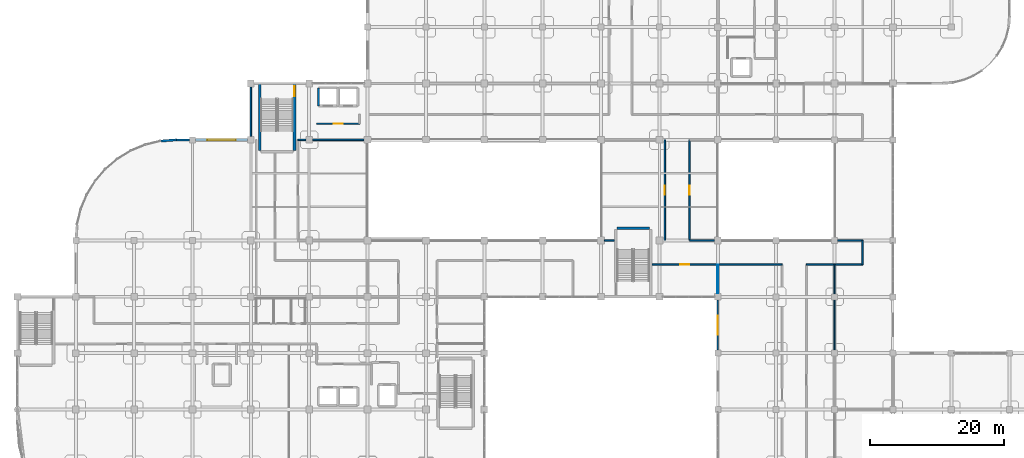
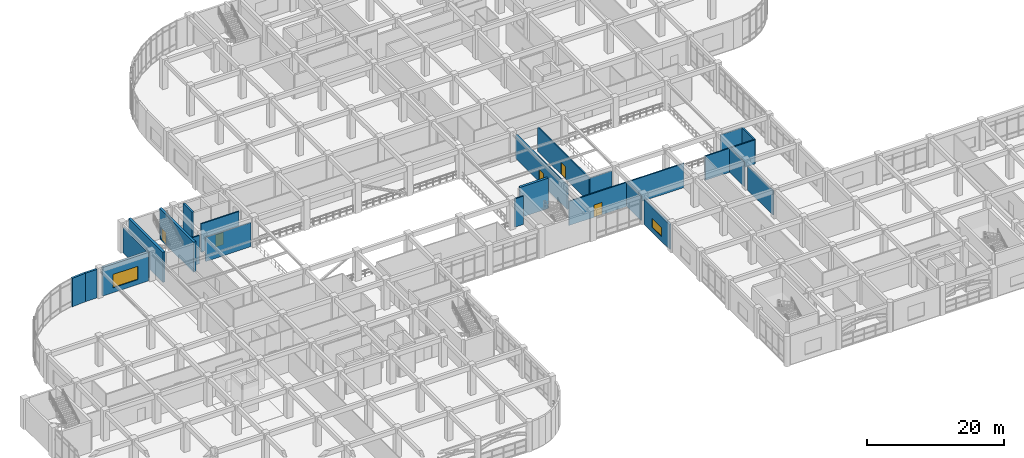
# One storey, part 95 of 114: 25 walls, 5 doors, 2 windows, 7 openings.
"""IFC4 building model written with IfcOpenShell, lengths in metres."""

from ifc_helpers import new_model, si_unit, derived_unit, direction, frame, frame_2d, origin, place, context, subcontext, project, spatial, rectangle, extrude, material, layer, layer_set, type_object, element, fill, save


model = new_model("IFC4")

# Units and contexts
model_context = context("Model", 3, precision=1e-05, world=origin(), true_north=direction((0.0, 1.0)))
body_context = subcontext(model_context, "Body", "Model", "MODEL_VIEW")
ifc_project = project(units=[si_unit("LENGTHUNIT", "METRE"), si_unit("AREAUNIT", "SQUARE_METRE"), si_unit("VOLUMEUNIT", "CUBIC_METRE"), si_unit("PLANEANGLEUNIT", "RADIAN"), si_unit("MASSUNIT", "GRAM", prefix="KILO"), derived_unit("THERMALTRANSMITTANCEUNIT", [(si_unit("MASSUNIT", "GRAM", prefix="KILO"), 1), (si_unit("TIMEUNIT", "SECOND"), -3), (si_unit("THERMODYNAMICTEMPERATUREUNIT", "KELVIN"), -1)])], contexts=[model_context])

# Site, building, storey
site_placement = place(None, origin())
site = spatial("IfcSite", under=ifc_project, at=site_placement, CompositionType="ELEMENT")
building_placement = place(site_placement, origin())
building = spatial("IfcBuilding", under=site, at=building_placement, Name="Qinzheling Arcade Emporium", CompositionType="ELEMENT")
storey_placement = place(building_placement, frame((0.0, 0.0, 6.0)))
storey = spatial("IfcBuildingStorey", under=building, at=storey_placement, Name="L02", CompositionType="ELEMENT", Elevation=6.0)

# Wall, opening, door
ifc_material_1 = material(Name="Double-stud acoustic gypsum board partition")
ifc_layer_1 = layer(ifc_material_1, 0.215087890625, Name="Double-stud acoustic gypsum board partition")
ifc_layer_set_1 = layer_set([ifc_layer_1], Name="Double-stud acoustic gypsum board partition")
wall_type_1 = type_object("IfcWallType", Name="Acoustic Corridor Partition Wall 215", PredefinedType="PARTITIONING", material=ifc_layer_set_1)
wall_1_placement = place(storey_placement, frame((51.0, 67.800048828125, 0.0), z_axis=(0.0, 0.0, 1.0), x_axis=(-1.0, 0.0, 0.0)))
wall_1 = element("IfcWall", 1, at=wall_1_placement, inside=storey, type_object=wall_type_1, Name="Interior Wall WL-L02-INT-0285", PredefinedType="PARTITIONING", context=body_context, shape_type="SweptSolid", body=[
    extrude(rectangle(XDim=6.39990234375, YDim=0.215087890625, at=frame_2d((3.199951171875, 0.0))), origin(), (0.0, 0.0, 1.0), 5.06005859375),
])
opening_1_placement = place(wall_1_placement, frame((2.52490234375, 0.0, 0.0)))
opening_1 = element("IfcOpeningElement", 2, at=opening_1_placement, cuts=wall_1, Name="Opening FD05", PredefinedType="OPENING", context=body_context, shape_type="SweptSolid", body=[
    extrude(rectangle(XDim=1.35009765625, YDim=2.199951171875, at=frame_2d((0.675048828125, 1.10009765625))), frame((0.0, 0.11767578125, 0.0), z_axis=(0.0, -1.0, 0.0), x_axis=(1.0, 0.0, 0.0)), (0.0, 0.0, 1.0), 0.235107421875),
])
ifc_material_2 = material(Name="Class B fire-rated stainless-clad door")
door_type_1 = type_object("IfcDoorType", Name="Kitchen Fire-Rated Service Door 1350x2200", OperationType="NOTDEFINED", PredefinedType="DOOR", material=ifc_material_2)
door_1_placement = place(opening_1_placement, origin())
door_1 = element("IfcDoor", 3, at=door_1_placement, inside=storey, type_object=door_type_1, Name="FD05 Interior Door DR-L02-INT-0080", OperationType="SINGLE_SWING_LEFT", OverallHeight=2.199951171875, OverallWidth=1.35009765625, PredefinedType="DOOR", context=body_context, shape_type="SweptSolid", body=[
    extrude(rectangle(XDim=1.35009765625, YDim=2.199951171875, at=frame_2d((0.675048828125, 1.10009765625))), frame((0.0, 0.02490234375, 0.0), z_axis=(0.0, -1.0, 0.0), x_axis=(1.0, 0.0, 0.0)), (0.0, 0.0, 1.0), 0.050048828125),
])
fill(opening_1, door_1)

# Walls
wall_2_placement = place(storey_placement, frame((51.68994140625, 65.39990234375, 0.0), z_axis=(0.0, 0.0, 1.0), x_axis=(-1.0, 0.0, 0.0)))
element("IfcWall", 4, at=wall_2_placement, inside=storey, type_object=wall_type_1, Name="Interior Wall WL-L02-INT-0322", PredefinedType="PARTITIONING", context=body_context, shape_type="SweptSolid", body=[
    extrude(rectangle(XDim=7.679931640625, YDim=0.215087890625, at=frame_2d((3.83984375, 0.0))), origin(), (0.0, 0.0, 1.0), 4.31005859375),
])
wall_3_placement = place(storey_placement, frame((42.989990234375, 65.39990234375, 0.0), z_axis=(0.0, 0.0, 1.0), x_axis=(-1.0, 0.0, 0.0)))
element("IfcWall", 5, at=wall_3_placement, inside=storey, type_object=wall_type_1, Name="Interior Wall WL-L02-INT-0323", PredefinedType="PARTITIONING", context=body_context, shape_type="SweptSolid", body=[
    extrude(rectangle(XDim=1.18994140625, YDim=0.215087890625, at=frame_2d((0.594970703125, 0.0))), origin(), (0.0, 0.0, 1.0), 5.06005859375),
])

# Wall, opening, door
wall_4_placement = place(storey_placement, frame((104.39990234375, 46.800048828125, 0.0), z_axis=(0.0, 0.0, 1.0), x_axis=(-1.0, 0.0, 0.0)))
wall_4 = element("IfcWall", 6, at=wall_4_placement, inside=storey, type_object=wall_type_1, Name="Interior Wall WL-L02-INT-0327", PredefinedType="PARTITIONING", context=body_context, shape_type="SweptSolid", body=[
    extrude(rectangle(XDim=9.804931640625, YDim=0.215087890625, at=frame_2d((4.90234375, 0.0))), origin(), (0.0, 0.0, 1.0), 4.31005859375),
])
opening_2_placement = place(wall_4_placement, frame((4.22802734375, 0.0, 0.0)))
opening_2 = element("IfcOpeningElement", 7, at=opening_2_placement, cuts=wall_4, Name="Opening FD05", PredefinedType="OPENING", context=body_context, shape_type="SweptSolid", body=[
    extrude(rectangle(XDim=1.35009765625, YDim=2.199951171875, at=frame_2d((0.675048828125, 1.10009765625))), frame((0.0, 0.11767578125, 0.0), z_axis=(0.0, -1.0, 0.0), x_axis=(1.0, 0.0, 0.0)), (0.0, 0.0, 1.0), 0.235107421875),
])
door_2_placement = place(opening_2_placement, origin())
door_2 = element("IfcDoor", 8, at=door_2_placement, inside=storey, type_object=door_type_1, Name="FD05 Interior Door DR-L02-INT-0096", OperationType="SINGLE_SWING_LEFT", OverallHeight=2.199951171875, OverallWidth=1.35009765625, PredefinedType="DOOR", context=body_context, shape_type="SweptSolid", body=[
    extrude(rectangle(XDim=1.35009765625, YDim=2.199951171875, at=frame_2d((0.675048828125, 1.10009765625))), frame((0.0, 0.02490234375, 0.0), z_axis=(0.0, -1.0, 0.0), x_axis=(1.0, 0.0, 0.0)), (0.0, 0.0, 1.0), 0.050048828125),
])
fill(opening_2, door_2)

wall_5_placement = place(storey_placement, frame((100.199951171875, 65.39990234375, 0.0), z_axis=(0.0, 0.0, 1.0), x_axis=(0.0, -1.0, 0.0)))
wall_5 = element("IfcWall", 9, at=wall_5_placement, inside=storey, type_object=wall_type_1, Name="Interior Wall WL-L02-INT-0338", PredefinedType="PARTITIONING", context=body_context, shape_type="SweptSolid", body=[
    extrude(rectangle(XDim=15.0, YDim=0.215087890625, at=frame_2d((7.5, 0.0))), origin(), (0.0, 0.0, 1.0), 4.31005859375),
])
opening_3_placement = place(wall_5_placement, frame((6.824951171875, 0.0, 0.0)))
opening_3 = element("IfcOpeningElement", 10, at=opening_3_placement, cuts=wall_5, Name="Opening FD05", PredefinedType="OPENING", context=body_context, shape_type="SweptSolid", body=[
    extrude(rectangle(XDim=1.35009765625, YDim=2.199951171875, at=frame_2d((0.675048828125, 1.10009765625))), frame((0.0, 0.11767578125, 0.0), z_axis=(0.0, -1.0, 0.0), x_axis=(1.0, 0.0, 0.0)), (0.0, 0.0, 1.0), 0.235107421875),
])
door_3_placement = place(opening_3_placement, origin())
door_3 = element("IfcDoor", 11, at=door_3_placement, inside=storey, type_object=door_type_1, Name="FD05 Interior Door DR-L02-INT-0101", OperationType="SINGLE_SWING_RIGHT", OverallHeight=2.199951171875, OverallWidth=1.35009765625, PredefinedType="DOOR", context=body_context, shape_type="SweptSolid", body=[
    extrude(rectangle(XDim=1.35009765625, YDim=2.199951171875, at=frame_2d((0.675048828125, 1.10009765625))), frame((0.0, 0.02490234375, 0.0), z_axis=(0.0, -1.0, 0.0), x_axis=(1.0, 0.0, 0.0)), (0.0, 0.0, 1.0), 0.050048828125),
])
fill(opening_3, door_3)

# Walls
wall_6_placement = place(storey_placement, frame((100.199951171875, 50.39990234375, 0.0), z_axis=(0.0, 0.0, 1.0), x_axis=(1.0, 0.0, 0.0)))
element("IfcWall", 12, at=wall_6_placement, inside=storey, type_object=wall_type_1, Name="Interior Wall WL-L02-INT-0339", PredefinedType="PARTITIONING", context=body_context, shape_type="SweptSolid", body=[
    extrude(rectangle(XDim=3.68994140625, YDim=0.215087890625, at=frame_2d((1.844970703125, 0.0))), origin(), (0.0, 0.0, 1.0), 4.31005859375),
])
wall_7_placement = place(storey_placement, frame((87.510009765625, 50.39990234375, 0.0), z_axis=(0.0, 0.0, 1.0), x_axis=(1.0, 0.0, 0.0)))
element("IfcWall", 13, at=wall_7_placement, inside=storey, type_object=wall_type_1, Name="Interior Wall WL-L02-INT-0340", PredefinedType="PARTITIONING", context=body_context, shape_type="SweptSolid", body=[
    extrude(rectangle(XDim=1.485107421875, YDim=0.215087890625, at=frame_2d((0.74267578125, 0.0))), origin(), (0.0, 0.0, 1.0), 5.06005859375),
])

# Wall, opening, door
wall_8_placement = place(storey_placement, frame((96.5, 50.39990234375, 0.0), z_axis=(0.0, 0.0, 1.0), x_axis=(0.0, 1.0, 0.0)))
wall_8 = element("IfcWall", 14, at=wall_8_placement, inside=storey, type_object=wall_type_1, Name="Interior Wall WL-L02-INT-0341", PredefinedType="PARTITIONING", context=body_context, shape_type="SweptSolid", body=[
    extrude(rectangle(XDim=15.0, YDim=0.215087890625, at=frame_2d((7.5, 0.0))), origin(), (0.0, 0.0, 1.0), 4.31005859375),
])
opening_4_placement = place(wall_8_placement, frame((6.824951171875, 0.0, 0.0)))
opening_4 = element("IfcOpeningElement", 15, at=opening_4_placement, cuts=wall_8, Name="Opening FD05", PredefinedType="OPENING", context=body_context, shape_type="SweptSolid", body=[
    extrude(rectangle(XDim=1.35009765625, YDim=2.199951171875, at=frame_2d((0.675048828125, 1.10009765625))), frame((0.0, 0.11767578125, 0.0), z_axis=(0.0, -1.0, 0.0), x_axis=(1.0, 0.0, 0.0)), (0.0, 0.0, 1.0), 0.235107421875),
])
door_4_placement = place(opening_4_placement, origin())
door_4 = element("IfcDoor", 16, at=door_4_placement, inside=storey, type_object=door_type_1, Name="FD05 Interior Door DR-L02-INT-0102", OperationType="SINGLE_SWING_LEFT", OverallHeight=2.199951171875, OverallWidth=1.35009765625, PredefinedType="DOOR", context=body_context, shape_type="SweptSolid", body=[
    extrude(rectangle(XDim=1.35009765625, YDim=2.199951171875, at=frame_2d((0.675048828125, 1.10009765625))), frame((0.0, 0.02490234375, 0.0), z_axis=(0.0, -1.0, 0.0), x_axis=(1.0, 0.0, 0.0)), (0.0, 0.0, 1.0), 0.050048828125),
])
fill(opening_4, door_4)

# Walls
wall_9_placement = place(storey_placement, frame((114.0, 46.800048828125, 0.0), z_axis=(0.0, 0.0, 1.0), x_axis=(-1.0, 0.0, 0.0)))
element("IfcWall", 17, at=wall_9_placement, inside=storey, type_object=wall_type_1, Name="Interior Wall WL-L02-INT-0345", PredefinedType="PARTITIONING", context=body_context, shape_type="SweptSolid", body=[
    extrude(rectangle(XDim=9.60009765625, YDim=0.215087890625, at=frame_2d((4.800048828125, 0.0))), origin(), (0.0, 0.0, 1.0), 4.31005859375),
])
wall_10_placement = place(storey_placement, frame((121.800048828125, 46.800048828125, 0.0), z_axis=(0.0, 0.0, 1.0), x_axis=(-1.0, 0.0, 0.0)))
element("IfcWall", 18, at=wall_10_placement, inside=storey, type_object=wall_type_1, Name="Interior Wall WL-L02-INT-0349", PredefinedType="PARTITIONING", context=body_context, shape_type="SweptSolid", body=[
    extrude(rectangle(XDim=4.199951171875, YDim=0.215087890625, at=frame_2d((2.10009765625, 0.0))), origin(), (0.0, 0.0, 1.0), 4.31005859375),
])
wall_11_placement = place(storey_placement, frame((122.260009765625, 50.39990234375, 0.0), z_axis=(0.0, 0.0, 1.0), x_axis=(1.0, 0.0, 0.0)))
element("IfcWall", 19, at=wall_11_placement, inside=storey, type_object=wall_type_1, Name="Interior Wall WL-L02-INT-0355", PredefinedType="PARTITIONING", context=body_context, shape_type="SweptSolid", body=[
    extrude(rectangle(XDim=3.739990234375, YDim=0.215087890625, at=frame_2d((1.8701171875, 0.0))), origin(), (0.0, 0.0, 1.0), 4.31005859375),
])
wall_12_placement = place(storey_placement, frame((126.0, 50.39990234375, 0.0), z_axis=(0.0, 0.0, 1.0), x_axis=(0.0, -1.0, 0.0)))
element("IfcWall", 20, at=wall_12_placement, inside=storey, type_object=wall_type_1, Name="Interior Wall WL-L02-INT-0356", PredefinedType="PARTITIONING", context=body_context, shape_type="SweptSolid", body=[
    extrude(rectangle(XDim=3.599853515625, YDim=0.215087890625, at=frame_2d((1.7998046875, 0.0))), origin(), (0.0, 0.0, 1.0), 4.31005859375),
])
wall_13_placement = place(storey_placement, frame((126.0, 46.800048828125, 0.0), z_axis=(0.0, 0.0, 1.0), x_axis=(-1.0, 0.0, 0.0)))
element("IfcWall", 21, at=wall_13_placement, inside=storey, type_object=wall_type_1, Name="Interior Wall WL-L02-INT-0357", PredefinedType="PARTITIONING", context=body_context, shape_type="SweptSolid", body=[
    extrude(rectangle(XDim=4.199951171875, YDim=0.215087890625, at=frame_2d((2.10009765625, 0.0))), origin(), (0.0, 0.0, 1.0), 4.31005859375),
])

# Wall, opening, window
ifc_material_3 = material(Name="Insulated aluminium-clad spandrel wall", Category="aluminium")
ifc_layer_2 = layer(ifc_material_3, 0.260009765625, Name="Insulated aluminium-clad spandrel wall", Category="aluminium")
ifc_layer_set_2 = layer_set([ifc_layer_2], Name="Insulated aluminium-clad spandrel wall")
wall_type_2 = type_object("IfcWallType", Name="Arcade Clerestory Spandrel Wall 260", PredefinedType="STANDARD", material=ifc_layer_set_2)
wall_14_placement = place(storey_placement, frame((104.39990234375, 34.052001953125, 0.0), z_axis=(0.0, 0.0, 1.0), x_axis=(0.0, 1.0, 0.0)))
wall_14 = element("IfcWall", 22, at=wall_14_placement, inside=storey, type_object=wall_type_2, Name="Exterior Wall WL-L02-EW-0098", PredefinedType="STANDARD", context=body_context, shape_type="SweptSolid", body=[
    extrude(rectangle(XDim=7.446044921875, YDim=0.260009765625, at=frame_2d((3.72314453125, 0.0))), origin(), (0.0, 0.0, 1.0), 4.455078125),
])
opening_5_placement = place(wall_14_placement, frame((2.322998046875, 0.0, 0.85009765625)))
opening_5 = element("IfcOpeningElement", 23, at=opening_5_placement, cuts=wall_14, Name="Opening WN48", PredefinedType="OPENING", context=body_context, shape_type="SweptSolid", body=[
    extrude(rectangle(XDim=2.800048828125, YDim=1.64990234375, at=frame_2d((1.39990234375, 0.824951171875))), frame((0.0, 0.14013671875, 0.0), z_axis=(0.0, -1.0, 0.0), x_axis=(1.0, 0.0, 0.0)), (0.0, 0.0, 1.0), 0.280029296875),
])
ifc_material_4 = material(Name="Thermally broken aluminium frame with solar-control double glazing", Category="aluminium")
window_type_1 = type_object("IfcWindowType", Name="Chicago Tripartite Window 2800x1650", PartitioningType="TRIPLE_PANEL_VERTICAL", PredefinedType="WINDOW", material=ifc_material_4)
window_1_placement = place(opening_5_placement, origin())
window_1 = element("IfcWindow", 24, at=window_1_placement, inside=storey, type_object=window_type_1, Name="WN48 Window WN-L02-0024", OverallHeight=1.64990234375, OverallWidth=2.800048828125, PartitioningType="TRIPLE_PANEL_VERTICAL", PredefinedType="WINDOW", context=body_context, shape_type="SweptSolid", body=[
    extrude(rectangle(XDim=2.800048828125, YDim=1.64990234375, at=frame_2d((1.39990234375, 0.824951171875))), frame((0.0, 0.030029296875, 0.0), z_axis=(0.0, -1.0, 0.0), x_axis=(1.0, 0.0, 0.0)), (0.0, 0.0, 1.0), 0.06005859375),
])
fill(opening_5, window_1)

# Walls
wall_15_placement = place(storey_placement, frame((34.800048828125, 65.902099609375, 0.0), z_axis=(0.0, 0.0, 1.0), x_axis=(0.0, 1.0, 0.0)))
element("IfcWall", 25, at=wall_15_placement, inside=storey, type_object=wall_type_2, Name="Exterior Wall WL-L02-EW-0118", PredefinedType="STANDARD", context=body_context, shape_type="SweptSolid", body=[
    extrude(rectangle(XDim=7.39599609375, YDim=0.260009765625, at=frame_2d((3.697998046875, 0.0))), origin(), (0.0, 0.0, 1.0), 4.455078125),
])
ifc_material_5 = material(Name="Celadon glazed terracotta insulated spandrel", Category="masonry")
ifc_layer_3 = layer(ifc_material_5, 0.340087890625, Name="Celadon glazed terracotta insulated spandrel", Category="masonry")
ifc_layer_set_3 = layer_set([ifc_layer_3], Name="Celadon glazed terracotta insulated spandrel")
wall_type_3 = type_object("IfcWallType", Name="Celadon Spandrel Infill Wall 340", PredefinedType="STANDARD", material=ifc_layer_set_3)
wall_16_placement = place(storey_placement, frame((21.35302734375, 65.215087890625, 0.0), z_axis=(0.0, 0.0, 1.0), x_axis=(0.996913759647, 0.078504495584, 0.0)))
element("IfcWall", 26, at=wall_16_placement, inside=storey, type_object=wall_type_3, Name="Exterior Wall WL-L02-EW-0115", PredefinedType="STANDARD", context=body_context, shape_type="SweptSolid", body=[
    extrude(rectangle(XDim=2.354248046875, YDim=0.340087890625, at=frame_2d((1.17724609375, 0.0))), origin(), (0.0, 0.0, 1.0), 5.090087890625),
])
ifc_material_6 = material(Name="Glazed cream terracotta insulated wall", Category="masonry")
ifc_layer_4 = layer(ifc_material_6, 0.320068359375, Name="Glazed cream terracotta insulated wall", Category="masonry")
ifc_layer_set_4 = layer_set([ifc_layer_4], Name="Glazed cream terracotta insulated wall")
wall_type_4 = type_object("IfcWallType", Name="Chicago Frame Infill Wall 320", PredefinedType="STANDARD", material=ifc_layer_set_4)
wall_17_placement = place(storey_placement, frame((23.699951171875, 65.39990234375, 0.0), z_axis=(0.0, 0.0, 1.0), x_axis=(1.0, 0.0, 0.0)))
element("IfcWall", 27, at=wall_17_placement, inside=storey, type_object=wall_type_4, Name="Exterior Wall WL-L02-EW-0116", PredefinedType="STANDARD", context=body_context, shape_type="SweptSolid", body=[
    extrude(rectangle(XDim=1.947998046875, YDim=0.320068359375, at=frame_2d((0.97412109375, 0.0))), origin(), (0.0, 0.0, 1.0), 5.090087890625),
])

# Wall, opening, window
ifc_material_7 = material(Name="Glazed cream terracotta on Concrete C40", Category="masonry")
ifc_layer_5 = layer(ifc_material_7, 0.360107421875, Name="Glazed cream terracotta on Concrete C40", Category="masonry")
ifc_layer_set_5 = layer_set([ifc_layer_5], Name="Glazed cream terracotta on Concrete C40")
wall_type_5 = type_object("IfcWallType", Name="Glazed Terracotta Pier Wall 360", PredefinedType="STANDARD", material=ifc_layer_set_5)
wall_18_placement = place(storey_placement, frame((26.552001953125, 65.39990234375, 0.0), z_axis=(0.0, 0.0, 1.0), x_axis=(1.0, 0.0, 0.0)))
wall_18 = element("IfcWall", 28, at=wall_18_placement, inside=storey, type_object=wall_type_5, Name="Exterior Wall WL-L02-EW-0117", PredefinedType="STANDARD", context=body_context, shape_type="SweptSolid", body=[
    extrude(rectangle(XDim=7.74609375, YDim=0.360107421875, at=frame_2d((3.873046875, 0.0))), origin(), (0.0, 0.0, 1.0), 5.090087890625),
])
opening_6_placement = place(wall_18_placement, frame((1.77294921875, 0.0, 0.85009765625)))
opening_6 = element("IfcOpeningElement", 29, at=opening_6_placement, cuts=wall_18, Name="Opening WN11", PredefinedType="OPENING", context=body_context, shape_type="SweptSolid", body=[
    extrude(rectangle(XDim=4.199951171875, YDim=2.39990234375, at=frame_2d((2.10009765625, 1.199951171875))), frame((0.0, 0.18994140625, 0.0), z_axis=(0.0, -1.0, 0.0), x_axis=(1.0, 0.0, 0.0)), (0.0, 0.0, 1.0), 0.380126953125),
])
window_type_2 = type_object("IfcWindowType", Name="Chicago Tripartite Window 4200x2400", PartitioningType="TRIPLE_PANEL_VERTICAL", PredefinedType="WINDOW", material=ifc_material_4)
window_2_placement = place(opening_6_placement, origin())
window_2 = element("IfcWindow", 30, at=window_2_placement, inside=storey, type_object=window_type_2, Name="WN11 Window WN-L02-0026", OverallHeight=2.39990234375, OverallWidth=4.199951171875, PartitioningType="TRIPLE_PANEL_VERTICAL", PredefinedType="WINDOW", context=body_context, shape_type="SweptSolid", body=[
    extrude(rectangle(XDim=4.199951171875, YDim=2.39990234375, at=frame_2d((2.10009765625, 1.199951171875))), frame((0.0, 0.030029296875, 0.0), z_axis=(0.0, -1.0, 0.0), x_axis=(1.0, 0.0, 0.0)), (0.0, 0.0, 1.0), 0.06005859375),
])
fill(opening_6, window_2)

# Walls
ifc_material_8 = material(Name="Concrete C40", Category="concrete")
ifc_layer_6 = layer(ifc_material_8, 0.35009765625, Name="Concrete C40", Category="concrete")
ifc_layer_set_6 = layer_set([ifc_layer_6], Name="Concrete C40")
wall_type_6 = type_object("IfcWallType", Name="RC Lift Shaft Shear Wall 350 C40", PredefinedType="SHEAR", material=ifc_layer_set_6)
wall_19_placement = place(storey_placement, frame((44.875, 70.47509765625, 0.0), z_axis=(0.0, 0.0, 1.0), x_axis=(0.0, 1.0, 0.0)))
element("IfcWall", 31, at=wall_19_placement, inside=storey, type_object=wall_type_6, Name="Lift Shaft Wall WL-L02-LFT-LP03-W", PredefinedType="SHEAR", context=body_context, shape_type="SweptSolid", body=[
    extrude(rectangle(XDim=2.64990234375, YDim=0.35009765625, at=frame_2d((1.324951171875, 0.0))), origin(), (0.0, 0.0, 1.0), 5.39990234375),
])
ifc_material_9 = material(Name="Concrete C50", Category="concrete")
ifc_layer_7 = layer(ifc_material_9, 0.39990234375, Name="Concrete C50", Category="concrete")
ifc_layer_set_7 = layer_set([ifc_layer_7], Name="Concrete C50")
wall_type_7 = type_object("IfcWallType", Name="RC Stair Core Shear Wall 400 C50", PredefinedType="SHEAR", material=ifc_layer_set_7)
wall_20_placement = place(storey_placement, frame((36.10009765625, 63.800048828125, 0.0), z_axis=(0.0, 0.0, 1.0), x_axis=(0.0, 1.0, 0.0)))
element("IfcWall", 32, at=wall_20_placement, inside=storey, type_object=wall_type_7, Name="Stair Core Wall WL-L02-ST03-WEST", PredefinedType="SHEAR", context=body_context, shape_type="SweptSolid", body=[
    extrude(rectangle(XDim=10.0, YDim=0.39990234375, at=frame_2d((5.0, 0.0))), origin(), (0.0, 0.0, 1.0), 5.39990234375),
])

# Wall, opening, door
wall_21_placement = place(storey_placement, frame((41.2900390625, 73.800048828125, 0.0), z_axis=(0.0, 0.0, 1.0), x_axis=(0.0, -1.0, 0.0)))
wall_21 = element("IfcWall", 33, at=wall_21_placement, inside=storey, type_object=wall_type_7, Name="Stair Core Wall WL-L02-ST03-EAST", PredefinedType="SHEAR", context=body_context, shape_type="SweptSolid", body=[
    extrude(rectangle(XDim=10.0, YDim=0.39990234375, at=frame_2d((5.0, 0.0))), origin(), (0.0, 0.0, 1.0), 5.39990234375),
])
opening_7_placement = place(wall_21_placement, frame((0.409912109375, 0.0, 0.0)))
opening_7 = element("IfcOpeningElement", 34, at=opening_7_placement, cuts=wall_21, Name="Opening FD01", PredefinedType="OPENING", context=body_context, shape_type="SweptSolid", body=[
    extrude(rectangle(XDim=1.5, YDim=2.199951171875, at=frame_2d((0.75, 1.10009765625))), frame((0.0, 0.2099609375, 0.0), z_axis=(0.0, -1.0, 0.0), x_axis=(1.0, 0.0, 0.0)), (0.0, 0.0, 1.0), 0.419921875),
])
ifc_material_10 = material(Name="Class A fire-rated steel double door", Category="steel")
door_type_2 = type_object("IfcDoorType", Name="Stairwell Smoke-Proof Fire Door 1500x2200", OperationType="DOUBLE_DOOR_SINGLE_SWING", PredefinedType="DOOR", material=ifc_material_10)
door_5_placement = place(opening_7_placement, origin())
door_5 = element("IfcDoor", 35, at=door_5_placement, inside=storey, type_object=door_type_2, Name="FD01 Stairwell Fire Door DR-L02-ST03-FD", OperationType="DOUBLE_DOOR_SINGLE_SWING", OverallHeight=2.199951171875, OverallWidth=1.5, PredefinedType="DOOR", context=body_context, shape_type="SweptSolid", body=[
    extrude(rectangle(XDim=1.5, YDim=2.199951171875, at=frame_2d((0.75, 1.10009765625))), frame((0.0, 0.02490234375, 0.0), z_axis=(0.0, -1.0, 0.0), x_axis=(1.0, 0.0, 0.0)), (0.0, 0.0, 1.0), 0.050048828125),
])
fill(opening_7, door_5)

# Walls
wall_22_placement = place(storey_placement, frame((89.39990234375, 52.199951171875, 0.0), z_axis=(0.0, 0.0, 1.0), x_axis=(1.0, 0.0, 0.0)))
element("IfcWall", 36, at=wall_22_placement, inside=storey, type_object=wall_type_7, Name="Stair Core Wall WL-L02-ST04-NORTH", PredefinedType="SHEAR", context=body_context, shape_type="SweptSolid", body=[
    extrude(rectangle(XDim=4.7900390625, YDim=0.39990234375, at=frame_2d((2.39501953125, 0.0))), origin(), (0.0, 0.0, 1.0), 5.39990234375),
])
ifc_material_11 = material(Name="Double-board salon partition")
ifc_layer_8 = layer(ifc_material_11, 0.175048828125, Name="Double-board salon partition")
ifc_layer_set_8 = layer_set([ifc_layer_8], Name="Double-board salon partition")
wall_type_8 = type_object("IfcWallType", Name="Salon Acoustic Partition Wall 175", PredefinedType="PARTITIONING", material=ifc_layer_set_8)
wall_23_placement = place(storey_placement, frame((121.800048828125, 46.800048828125, 0.0), z_axis=(0.0, 0.0, 1.0), x_axis=(0.0, -1.0, 0.0)))
element("IfcWall", 37, at=wall_23_placement, inside=storey, type_object=wall_type_8, Name="Interior Wall WL-L02-INT-0403", PredefinedType="PARTITIONING", context=body_context, shape_type="SweptSolid", body=[
    extrude(rectangle(XDim=4.340087890625, YDim=0.175048828125, at=frame_2d((2.169921875, 0.0))), origin(), (0.0, 0.0, 1.0), 4.31005859375),
])
wall_24_placement = place(storey_placement, frame((121.800048828125, 41.5400390625, 0.0), z_axis=(0.0, 0.0, 1.0), x_axis=(0.0, -1.0, 0.0)))
element("IfcWall", 38, at=wall_24_placement, inside=storey, type_object=wall_type_8, Name="Interior Wall WL-L02-INT-0404", PredefinedType="PARTITIONING", context=body_context, shape_type="SweptSolid", body=[
    extrude(rectangle(XDim=7.47998046875, YDim=0.175048828125, at=frame_2d((3.739990234375, 0.0))), origin(), (0.0, 0.0, 1.0), 4.31005859375),
])
ifc_material_12 = material(Name="Moisture-resistant cement-board WC partition")
ifc_layer_9 = layer(ifc_material_12, 0.14501953125, Name="Moisture-resistant cement-board WC partition")
ifc_layer_set_9 = layer_set([ifc_layer_9], Name="Moisture-resistant cement-board WC partition")
wall_type_9 = type_object("IfcWallType", Name="Washroom Moisture Partition Wall 145", PredefinedType="PARTITIONING", material=ifc_layer_set_9)
wall_25_placement = place(storey_placement, frame((104.39990234375, 46.800048828125, 0.0), z_axis=(0.0, 0.0, 1.0), x_axis=(0.0, -1.0, 0.0)))
element("IfcWall", 39, at=wall_25_placement, inside=storey, type_object=wall_type_9, Name="Interior Wall WL-L02-INT-0394", PredefinedType="PARTITIONING", context=body_context, shape_type="SweptSolid", body=[
    extrude(rectangle(XDim=4.2900390625, YDim=0.14501953125, at=frame_2d((2.14501953125, 0.0))), origin(), (0.0, 0.0, 1.0), 4.31005859375),
])

save(model, "model.ifc")
